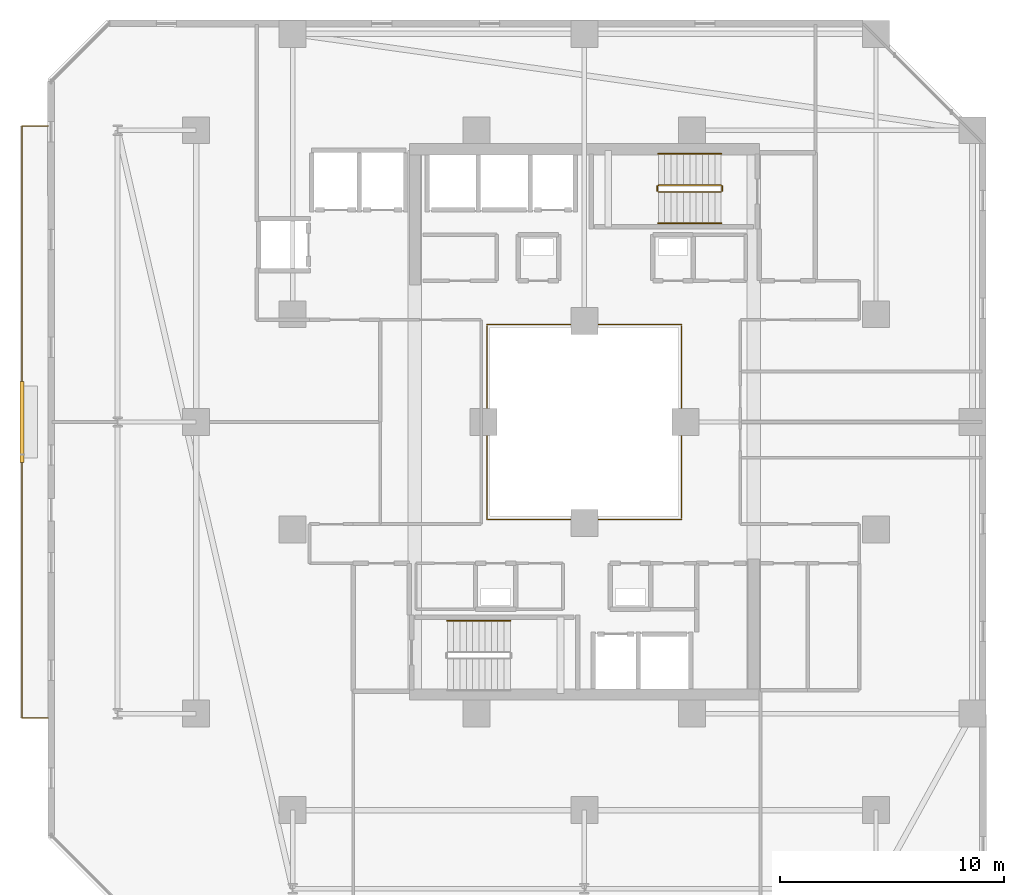
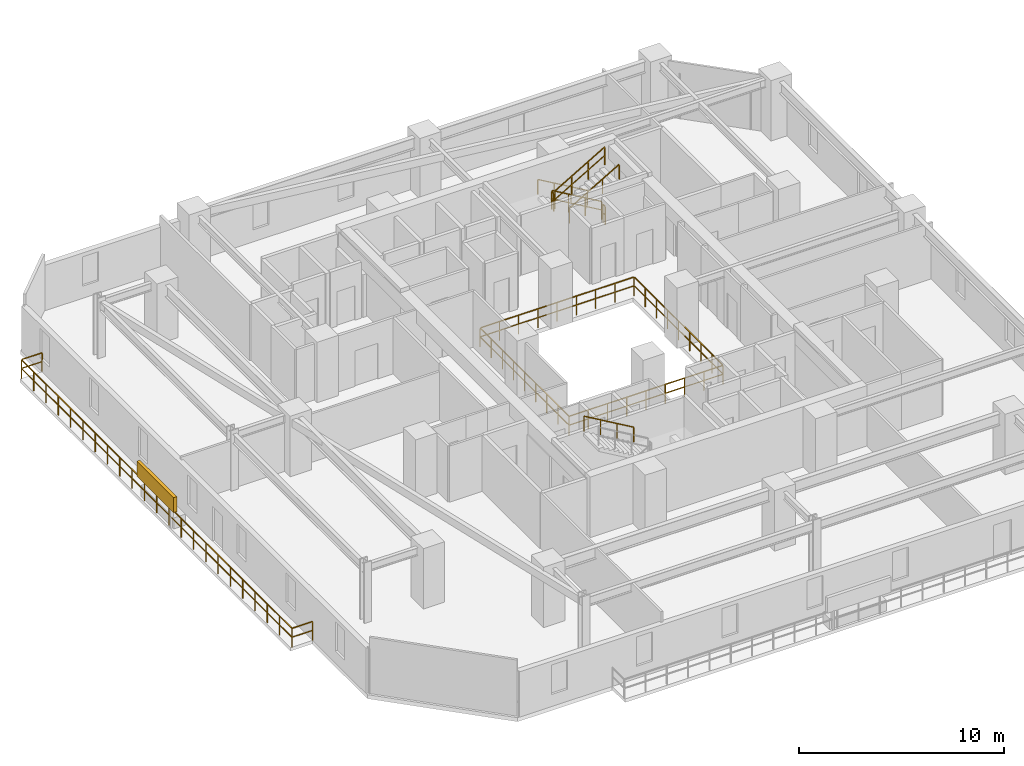
# One storey, part 30 of 33: 9 railings, 1 shading device.
"""IFC4 building model written with IfcOpenShell, lengths in metres."""

from ifc_helpers import new_model, si_unit, direction, frame, origin, origin_2d, place, context, subcontext, project, spatial, rectangle, extrude, material, type_object, element, save


model = new_model("IFC4")

# Units and contexts
model_context = context("Model", 3, precision=1e-05, world=origin(), true_north=direction((0.0, 1.0)))
body_context = subcontext(model_context, "Body", "Model", "MODEL_VIEW")
ifc_project = project(units=[si_unit("LENGTHUNIT", "METRE"), si_unit("AREAUNIT", "SQUARE_METRE"), si_unit("VOLUMEUNIT", "CUBIC_METRE"), si_unit("PLANEANGLEUNIT", "RADIAN"), si_unit("MASSUNIT", "GRAM", prefix="KILO")], contexts=[model_context])

# Site, building, storey
site_placement = place(None, origin())
site = spatial("IfcSite", under=ifc_project, at=site_placement, CompositionType="ELEMENT")
building_placement = place(site_placement, origin())
building = spatial("IfcBuilding", under=site, at=building_placement, Name="Thornwick Lancets Civic Towers", CompositionType="ELEMENT")
storey_placement = place(building_placement, frame((0.0, 0.0, 130.5)))
storey = spatial("IfcBuildingStorey", under=building, at=storey_placement, Name="L34", CompositionType="ELEMENT", Elevation=130.5)

# Railings
ifc_material_1 = material(Name="Laminated glass and bronze steel S355", Category="steel")
railing_type_1 = type_object("IfcRailingType", Name="RAIL_ATRIUM_GUARD", PredefinedType="BALUSTRADE", material=ifc_material_1)
railing_1_placement = place(storey_placement, frame((21.159912109375, 22.659912109375, 0.0)))
element("IfcRailing", 1, at=railing_1_placement, inside=storey, type_object=railing_type_1, Name="L34 Tower A Central Atrium Guard Balustrade", PredefinedType="BALUSTRADE", context=body_context, shape_type="SweptSolid", body=[
    extrude(rectangle(XDim=0.048095703125, YDim=0.048095703125, at=origin_2d()), frame((0.0, 0.0, 1.1259765625), z_axis=(1.0, 0.0, 0.0), x_axis=(0.0, 1.0, 0.0)), (0.0, 0.0, 1.0), 8.64892578125),
    extrude(rectangle(XDim=0.0419921875, YDim=0.0419921875, at=origin_2d()), frame((0.03759765625, 0.0, 0.597900390625), z_axis=(1.0, 0.0, 0.0), x_axis=(0.0, 1.0, 0.0)), (0.0, 0.0, 1.0), 1.010009765625),
    extrude(rectangle(XDim=0.0419921875, YDim=0.0419921875, at=origin_2d()), frame((1.12255859375, 0.0, 0.597900390625), z_axis=(1.0, 0.0, 0.0), x_axis=(0.0, 1.0, 0.0)), (0.0, 0.0, 1.0), 1.010009765625),
    extrude(rectangle(XDim=0.0419921875, YDim=0.0419921875, at=origin_2d()), frame((2.20751953125, 0.0, 0.597900390625), z_axis=(1.0, 0.0, 0.0), x_axis=(0.0, 1.0, 0.0)), (0.0, 0.0, 1.0), 1.010009765625),
    extrude(rectangle(XDim=0.0419921875, YDim=0.0419921875, at=origin_2d()), frame((3.29248046875, 0.0, 0.597900390625), z_axis=(1.0, 0.0, 0.0), x_axis=(0.0, 1.0, 0.0)), (0.0, 0.0, 1.0), 1.010009765625),
    extrude(rectangle(XDim=0.0419921875, YDim=0.0419921875, at=origin_2d()), frame((4.377685546875, 0.0, 0.597900390625), z_axis=(1.0, 0.0, 0.0), x_axis=(0.0, 1.0, 0.0)), (0.0, 0.0, 1.0), 1.010009765625),
    extrude(rectangle(XDim=0.0419921875, YDim=0.0419921875, at=origin_2d()), frame((5.462646484375, 0.0, 0.597900390625), z_axis=(1.0, 0.0, 0.0), x_axis=(0.0, 1.0, 0.0)), (0.0, 0.0, 1.0), 1.010009765625),
    extrude(rectangle(XDim=0.0419921875, YDim=0.0419921875, at=origin_2d()), frame((6.547607421875, 0.0, 0.597900390625), z_axis=(1.0, 0.0, 0.0), x_axis=(0.0, 1.0, 0.0)), (0.0, 0.0, 1.0), 1.010009765625),
    extrude(rectangle(XDim=0.0419921875, YDim=0.0419921875, at=origin_2d()), frame((7.632568359375, 0.0, 0.597900390625), z_axis=(1.0, 0.0, 0.0), x_axis=(0.0, 1.0, 0.0)), (0.0, 0.0, 1.0), 1.010009765625),
    extrude(rectangle(XDim=0.048095703125, YDim=0.048095703125, at=origin_2d()), frame((8.68017578125, 0.03125, 1.1259765625), z_axis=(0.0, 1.0, 0.0), x_axis=(-1.0, 0.0, 0.0)), (0.0, 0.0, 1.0), 8.61767578125),
    extrude(rectangle(XDim=0.0419921875, YDim=0.0419921875, at=origin_2d()), frame((8.68017578125, 0.03759765625, 0.597900390625), z_axis=(0.0, 1.0, 0.0), x_axis=(-1.0, 0.0, 0.0)), (0.0, 0.0, 1.0), 1.010009765625),
    extrude(rectangle(XDim=0.0419921875, YDim=0.0419921875, at=origin_2d()), frame((8.68017578125, 1.12255859375, 0.597900390625), z_axis=(0.0, 1.0, 0.0), x_axis=(-1.0, 0.0, 0.0)), (0.0, 0.0, 1.0), 1.010009765625),
    extrude(rectangle(XDim=0.0419921875, YDim=0.0419921875, at=origin_2d()), frame((8.68017578125, 2.20751953125, 0.597900390625), z_axis=(0.0, 1.0, 0.0), x_axis=(-1.0, 0.0, 0.0)), (0.0, 0.0, 1.0), 1.010009765625),
    extrude(rectangle(XDim=0.0419921875, YDim=0.0419921875, at=origin_2d()), frame((8.68017578125, 3.29248046875, 0.597900390625), z_axis=(0.0, 1.0, 0.0), x_axis=(-1.0, 0.0, 0.0)), (0.0, 0.0, 1.0), 1.010009765625),
    extrude(rectangle(XDim=0.0419921875, YDim=0.0419921875, at=origin_2d()), frame((8.68017578125, 4.377685546875, 0.597900390625), z_axis=(0.0, 1.0, 0.0), x_axis=(-1.0, 0.0, 0.0)), (0.0, 0.0, 1.0), 1.010009765625),
    extrude(rectangle(XDim=0.0419921875, YDim=0.0419921875, at=origin_2d()), frame((8.68017578125, 5.462646484375, 0.597900390625), z_axis=(0.0, 1.0, 0.0), x_axis=(-1.0, 0.0, 0.0)), (0.0, 0.0, 1.0), 1.010009765625),
    extrude(rectangle(XDim=0.0419921875, YDim=0.0419921875, at=origin_2d()), frame((8.68017578125, 6.547607421875, 0.597900390625), z_axis=(0.0, 1.0, 0.0), x_axis=(-1.0, 0.0, 0.0)), (0.0, 0.0, 1.0), 1.010009765625),
    extrude(rectangle(XDim=0.0419921875, YDim=0.0419921875, at=origin_2d()), frame((8.68017578125, 7.632568359375, 0.597900390625), z_axis=(0.0, 1.0, 0.0), x_axis=(-1.0, 0.0, 0.0)), (0.0, 0.0, 1.0), 1.010009765625),
    extrude(rectangle(XDim=0.048095703125, YDim=0.048095703125, at=origin_2d()), frame((8.64892578125, 8.68017578125, 1.1259765625), z_axis=(-1.0, 0.0, 0.0), x_axis=(0.0, -1.0, 0.0)), (0.0, 0.0, 1.0), 8.61767578125),
    extrude(rectangle(XDim=0.0419921875, YDim=0.0419921875, at=origin_2d()), frame((8.642578125, 8.68017578125, 0.597900390625), z_axis=(-1.0, 0.0, 0.0), x_axis=(0.0, -1.0, 0.0)), (0.0, 0.0, 1.0), 1.010009765625),
    extrude(rectangle(XDim=0.0419921875, YDim=0.0419921875, at=origin_2d()), frame((7.5576171875, 8.68017578125, 0.597900390625), z_axis=(-1.0, 0.0, 0.0), x_axis=(0.0, -1.0, 0.0)), (0.0, 0.0, 1.0), 1.010009765625),
    extrude(rectangle(XDim=0.0419921875, YDim=0.0419921875, at=origin_2d()), frame((6.47265625, 8.68017578125, 0.597900390625), z_axis=(-1.0, 0.0, 0.0), x_axis=(0.0, -1.0, 0.0)), (0.0, 0.0, 1.0), 1.010009765625),
    extrude(rectangle(XDim=0.0419921875, YDim=0.0419921875, at=origin_2d()), frame((5.3876953125, 8.68017578125, 0.597900390625), z_axis=(-1.0, 0.0, 0.0), x_axis=(0.0, -1.0, 0.0)), (0.0, 0.0, 1.0), 1.010009765625),
    extrude(rectangle(XDim=0.0419921875, YDim=0.0419921875, at=origin_2d()), frame((4.302490234375, 8.68017578125, 0.597900390625), z_axis=(-1.0, 0.0, 0.0), x_axis=(0.0, -1.0, 0.0)), (0.0, 0.0, 1.0), 1.010009765625),
    extrude(rectangle(XDim=0.0419921875, YDim=0.0419921875, at=origin_2d()), frame((3.217529296875, 8.68017578125, 0.597900390625), z_axis=(-1.0, 0.0, 0.0), x_axis=(0.0, -1.0, 0.0)), (0.0, 0.0, 1.0), 1.010009765625),
    extrude(rectangle(XDim=0.0419921875, YDim=0.0419921875, at=origin_2d()), frame((2.132568359375, 8.68017578125, 0.597900390625), z_axis=(-1.0, 0.0, 0.0), x_axis=(0.0, -1.0, 0.0)), (0.0, 0.0, 1.0), 1.010009765625),
    extrude(rectangle(XDim=0.0419921875, YDim=0.0419921875, at=origin_2d()), frame((1.047607421875, 8.68017578125, 0.597900390625), z_axis=(-1.0, 0.0, 0.0), x_axis=(0.0, -1.0, 0.0)), (0.0, 0.0, 1.0), 1.010009765625),
    extrude(rectangle(XDim=0.048095703125, YDim=0.048095703125, at=origin_2d()), frame((0.0, 8.64892578125, 1.1259765625), z_axis=(0.0, -1.0, 0.0), x_axis=(1.0, 0.0, 0.0)), (0.0, 0.0, 1.0), 8.64892578125),
    extrude(rectangle(XDim=0.0419921875, YDim=0.0419921875, at=origin_2d()), frame((0.0, 8.642578125, 0.597900390625), z_axis=(0.0, -1.0, 0.0), x_axis=(1.0, 0.0, 0.0)), (0.0, 0.0, 1.0), 1.010009765625),
    extrude(rectangle(XDim=0.0419921875, YDim=0.0419921875, at=origin_2d()), frame((0.0, 7.5576171875, 0.597900390625), z_axis=(0.0, -1.0, 0.0), x_axis=(1.0, 0.0, 0.0)), (0.0, 0.0, 1.0), 1.010009765625),
    extrude(rectangle(XDim=0.0419921875, YDim=0.0419921875, at=origin_2d()), frame((0.0, 6.47265625, 0.597900390625), z_axis=(0.0, -1.0, 0.0), x_axis=(1.0, 0.0, 0.0)), (0.0, 0.0, 1.0), 1.010009765625),
    extrude(rectangle(XDim=0.0419921875, YDim=0.0419921875, at=origin_2d()), frame((0.0, 5.3876953125, 0.597900390625), z_axis=(0.0, -1.0, 0.0), x_axis=(1.0, 0.0, 0.0)), (0.0, 0.0, 1.0), 1.010009765625),
    extrude(rectangle(XDim=0.0419921875, YDim=0.0419921875, at=origin_2d()), frame((0.0, 4.302490234375, 0.597900390625), z_axis=(0.0, -1.0, 0.0), x_axis=(1.0, 0.0, 0.0)), (0.0, 0.0, 1.0), 1.010009765625),
    extrude(rectangle(XDim=0.0419921875, YDim=0.0419921875, at=origin_2d()), frame((0.0, 3.217529296875, 0.597900390625), z_axis=(0.0, -1.0, 0.0), x_axis=(1.0, 0.0, 0.0)), (0.0, 0.0, 1.0), 1.010009765625),
    extrude(rectangle(XDim=0.0419921875, YDim=0.0419921875, at=origin_2d()), frame((0.0, 2.132568359375, 0.597900390625), z_axis=(0.0, -1.0, 0.0), x_axis=(1.0, 0.0, 0.0)), (0.0, 0.0, 1.0), 1.010009765625),
    extrude(rectangle(XDim=0.0419921875, YDim=0.0419921875, at=origin_2d()), frame((0.0, 1.047607421875, 0.597900390625), z_axis=(0.0, -1.0, 0.0), x_axis=(1.0, 0.0, 0.0)), (0.0, 0.0, 1.0), 1.010009765625),
    extrude(rectangle(XDim=0.0419921875, YDim=0.0419921875, at=origin_2d()), origin(), (0.0, 0.0, 1.0), 1.095703125),
    extrude(rectangle(XDim=0.0419921875, YDim=0.0419921875, at=origin_2d()), frame((1.0849609375, 0.0, 0.0)), (0.0, 0.0, 1.0), 1.095703125),
    extrude(rectangle(XDim=0.0419921875, YDim=0.0419921875, at=origin_2d()), frame((2.169921875, 0.0, 0.0)), (0.0, 0.0, 1.0), 1.095703125),
    extrude(rectangle(XDim=0.0419921875, YDim=0.0419921875, at=origin_2d()), frame((3.255126953125, 0.0, 0.0)), (0.0, 0.0, 1.0), 1.095703125),
    extrude(rectangle(XDim=0.0419921875, YDim=0.0419921875, at=origin_2d()), frame((4.340087890625, 0.0, 0.0)), (0.0, 0.0, 1.0), 1.095703125),
    extrude(rectangle(XDim=0.0419921875, YDim=0.0419921875, at=origin_2d()), frame((5.425048828125, 0.0, 0.0)), (0.0, 0.0, 1.0), 1.095703125),
    extrude(rectangle(XDim=0.0419921875, YDim=0.0419921875, at=origin_2d()), frame((6.51025390625, 0.0, 0.0)), (0.0, 0.0, 1.0), 1.095703125),
    extrude(rectangle(XDim=0.0419921875, YDim=0.0419921875, at=origin_2d()), frame((7.59521484375, 0.0, 0.0)), (0.0, 0.0, 1.0), 1.095703125),
    extrude(rectangle(XDim=0.0419921875, YDim=0.0419921875, at=origin_2d()), frame((8.68017578125, 0.0, 0.0)), (0.0, 0.0, 1.0), 1.095703125),
    extrude(rectangle(XDim=0.0419921875, YDim=0.0419921875, at=origin_2d()), frame((8.68017578125, 1.0849609375, 0.0)), (0.0, 0.0, 1.0), 1.095703125),
    extrude(rectangle(XDim=0.0419921875, YDim=0.0419921875, at=origin_2d()), frame((8.68017578125, 2.169921875, 0.0)), (0.0, 0.0, 1.0), 1.095703125),
    extrude(rectangle(XDim=0.0419921875, YDim=0.0419921875, at=origin_2d()), frame((8.68017578125, 3.255126953125, 0.0)), (0.0, 0.0, 1.0), 1.095703125),
    extrude(rectangle(XDim=0.0419921875, YDim=0.0419921875, at=origin_2d()), frame((8.68017578125, 4.340087890625, 0.0)), (0.0, 0.0, 1.0), 1.095703125),
    extrude(rectangle(XDim=0.0419921875, YDim=0.0419921875, at=origin_2d()), frame((8.68017578125, 5.425048828125, 0.0)), (0.0, 0.0, 1.0), 1.095703125),
    extrude(rectangle(XDim=0.0419921875, YDim=0.0419921875, at=origin_2d()), frame((8.68017578125, 6.51025390625, 0.0)), (0.0, 0.0, 1.0), 1.095703125),
    extrude(rectangle(XDim=0.0419921875, YDim=0.0419921875, at=origin_2d()), frame((8.68017578125, 7.59521484375, 0.0)), (0.0, 0.0, 1.0), 1.095703125),
    extrude(rectangle(XDim=0.0419921875, YDim=0.0419921875, at=origin_2d()), frame((8.68017578125, 8.68017578125, 0.0)), (0.0, 0.0, 1.0), 1.095703125),
    extrude(rectangle(XDim=0.0419921875, YDim=0.0419921875, at=origin_2d()), frame((7.59521484375, 8.68017578125, 0.0)), (0.0, 0.0, 1.0), 1.095703125),
    extrude(rectangle(XDim=0.0419921875, YDim=0.0419921875, at=origin_2d()), frame((6.51025390625, 8.68017578125, 0.0)), (0.0, 0.0, 1.0), 1.095703125),
    extrude(rectangle(XDim=0.0419921875, YDim=0.0419921875, at=origin_2d()), frame((5.425048828125, 8.68017578125, 0.0)), (0.0, 0.0, 1.0), 1.095703125),
    extrude(rectangle(XDim=0.0419921875, YDim=0.0419921875, at=origin_2d()), frame((4.340087890625, 8.68017578125, 0.0)), (0.0, 0.0, 1.0), 1.095703125),
    extrude(rectangle(XDim=0.0419921875, YDim=0.0419921875, at=origin_2d()), frame((3.255126953125, 8.68017578125, 0.0)), (0.0, 0.0, 1.0), 1.095703125),
    extrude(rectangle(XDim=0.0419921875, YDim=0.0419921875, at=origin_2d()), frame((2.169921875, 8.68017578125, 0.0)), (0.0, 0.0, 1.0), 1.095703125),
    extrude(rectangle(XDim=0.0419921875, YDim=0.0419921875, at=origin_2d()), frame((1.0849609375, 8.68017578125, 0.0)), (0.0, 0.0, 1.0), 1.095703125),
    extrude(rectangle(XDim=0.0419921875, YDim=0.0419921875, at=origin_2d()), frame((0.0, 8.68017578125, 0.0)), (0.0, 0.0, 1.0), 1.095703125),
    extrude(rectangle(XDim=0.0419921875, YDim=0.0419921875, at=origin_2d()), frame((0.0, 7.59521484375, 0.0)), (0.0, 0.0, 1.0), 1.095703125),
    extrude(rectangle(XDim=0.0419921875, YDim=0.0419921875, at=origin_2d()), frame((0.0, 6.51025390625, 0.0)), (0.0, 0.0, 1.0), 1.095703125),
    extrude(rectangle(XDim=0.0419921875, YDim=0.0419921875, at=origin_2d()), frame((0.0, 5.425048828125, 0.0)), (0.0, 0.0, 1.0), 1.095703125),
    extrude(rectangle(XDim=0.0419921875, YDim=0.0419921875, at=origin_2d()), frame((0.0, 4.340087890625, 0.0)), (0.0, 0.0, 1.0), 1.095703125),
    extrude(rectangle(XDim=0.0419921875, YDim=0.0419921875, at=origin_2d()), frame((0.0, 3.255126953125, 0.0)), (0.0, 0.0, 1.0), 1.095703125),
    extrude(rectangle(XDim=0.0419921875, YDim=0.0419921875, at=origin_2d()), frame((0.0, 2.169921875, 0.0)), (0.0, 0.0, 1.0), 1.095703125),
    extrude(rectangle(XDim=0.0419921875, YDim=0.0419921875, at=origin_2d()), frame((0.0, 1.0849609375, 0.0)), (0.0, 0.0, 1.0), 1.095703125),
])
ifc_material_2 = material(Name="Brushed stainless steel S355", Category="steel")
railing_type_2 = type_object("IfcRailingType", Name="RAIL_HANDRAIL", PredefinedType="HANDRAIL", material=ifc_material_2)
for number, where, name in (
    (2, (22.199951171875, 18.14990234375, 1.963623046875), "L34 ST-A1 stair handrail 2"),
    (3, (31.60009765625, 38.949951171875, 0.16357421875), "L34 ST-A2 stair handrail 1"),
):
    element("IfcRailing", number, at=place(storey_placement, frame(where)), inside=storey, type_object=railing_type_2, Name=name, PredefinedType="HANDRAIL", context=body_context, shape_type="SweptSolid", body=[
        extrude(rectangle(XDim=0.048095703125, YDim=0.048095703125, at=origin_2d()), frame((0.0, 0.0, 0.8857421875), z_axis=(-0.863360870873, 0.0, 0.504586966384), x_axis=(0.0, -1.0, 0.0)), (0.0, 0.0, 1.0), 3.2431640625),
        extrude(rectangle(XDim=0.0419921875, YDim=0.0419921875, at=origin_2d()), origin(), (0.0, 0.0, 1.0), 0.855712890625),
        extrude(rectangle(XDim=0.0419921875, YDim=0.0419921875, at=origin_2d()), frame((-0.933349609375, 0.0, 0.54541015625)), (0.0, 0.0, 1.0), 0.855712890625),
        extrude(rectangle(XDim=0.0419921875, YDim=0.0419921875, at=origin_2d()), frame((-1.86669921875, 0.0, 1.091064453125)), (0.0, 0.0, 1.0), 0.855712890625),
        extrude(rectangle(XDim=0.0419921875, YDim=0.0419921875, at=origin_2d()), frame((-2.800048828125, 0.0, 1.636474609375)), (0.0, 0.0, 1.0), 0.855712890625),
    ])
railing_2_placement = place(storey_placement, frame((28.800048828125, 35.85009765625, 1.963623046875)))
element("IfcRailing", 4, at=railing_2_placement, inside=storey, type_object=railing_type_2, Name="L34 ST-A2 stair handrail 2", PredefinedType="HANDRAIL", context=body_context, shape_type="SweptSolid", body=[
    extrude(rectangle(XDim=0.048095703125, YDim=0.048095703125, at=origin_2d()), frame((0.0, 0.0, 0.8857421875), z_axis=(0.863360870873, 0.0, 0.504586966384), x_axis=(0.0, 1.0, 0.0)), (0.0, 0.0, 1.0), 3.2431640625),
    extrude(rectangle(XDim=0.0419921875, YDim=0.0419921875, at=origin_2d()), origin(), (0.0, 0.0, 1.0), 0.855712890625),
    extrude(rectangle(XDim=0.0419921875, YDim=0.0419921875, at=origin_2d()), frame((0.933349609375, 0.0, 0.54541015625)), (0.0, 0.0, 1.0), 0.855712890625),
    extrude(rectangle(XDim=0.0419921875, YDim=0.0419921875, at=origin_2d()), frame((1.86669921875, 0.0, 1.091064453125)), (0.0, 0.0, 1.0), 0.855712890625),
    extrude(rectangle(XDim=0.0419921875, YDim=0.0419921875, at=origin_2d()), frame((2.800048828125, 0.0, 1.636474609375)), (0.0, 0.0, 1.0), 0.855712890625),
])
ifc_material_3 = material(Name="Steel S355JR", Category="steel")
railing_type_3 = type_object("IfcRailingType", Name="RAIL_STAIR_GUARD", PredefinedType="GUARDRAIL", material=ifc_material_3)
railing_3_placement = place(storey_placement, frame((31.60009765625, 37.550048828125, 0.16357421875)))
element("IfcRailing", 5, at=railing_3_placement, inside=storey, type_object=railing_type_3, Name="L34 ST-A2 stair guard 1", PredefinedType="GUARDRAIL", context=body_context, shape_type="SweptSolid", body=[
    extrude(rectangle(XDim=0.048095703125, YDim=0.048095703125, at=origin_2d()), frame((0.0, 0.0, 1.076171875), z_axis=(-0.863360870873, 0.0, 0.504586966384), x_axis=(0.0, -1.0, 0.0)), (0.0, 0.0, 1.0), 3.2431640625),
    extrude(rectangle(XDim=0.0419921875, YDim=0.0419921875, at=origin_2d()), frame((-0.032470703125, 0.0, 0.591064453125), z_axis=(-0.863360870873, 0.0, 0.504586966384), x_axis=(0.0, -1.0, 0.0)), (0.0, 0.0, 1.0), 1.006103515625),
    extrude(rectangle(XDim=0.0419921875, YDim=0.0419921875, at=origin_2d()), frame((-0.9658203125, 0.0, 1.136474609375), z_axis=(-0.863360870873, 0.0, 0.504586966384), x_axis=(0.0, -1.0, 0.0)), (0.0, 0.0, 1.0), 1.006103515625),
    extrude(rectangle(XDim=0.0419921875, YDim=0.0419921875, at=origin_2d()), frame((-1.899169921875, 0.0, 1.681884765625), z_axis=(-0.863360870873, 0.0, 0.504586966384), x_axis=(0.0, -1.0, 0.0)), (0.0, 0.0, 1.0), 1.006103515625),
    extrude(rectangle(XDim=0.0419921875, YDim=0.0419921875, at=origin_2d()), origin(), (0.0, 0.0, 1.0), 1.0458984375),
    extrude(rectangle(XDim=0.0419921875, YDim=0.0419921875, at=origin_2d()), frame((-0.933349609375, 0.0, 0.54541015625)), (0.0, 0.0, 1.0), 1.0458984375),
    extrude(rectangle(XDim=0.0419921875, YDim=0.0419921875, at=origin_2d()), frame((-1.86669921875, 0.0, 1.091064453125)), (0.0, 0.0, 1.0), 1.0458984375),
    extrude(rectangle(XDim=0.0419921875, YDim=0.0419921875, at=origin_2d()), frame((-2.800048828125, 0.0, 1.636474609375)), (0.0, 0.0, 1.0), 1.0458984375),
])
railing_4_placement = place(storey_placement, frame((28.75, 37.5, 1.800048828125)))
element("IfcRailing", 6, at=railing_4_placement, inside=storey, type_object=railing_type_3, Name="L34 ST-A2 stair guard 2", PredefinedType="GUARDRAIL", context=body_context, shape_type="SweptSolid", body=[
    extrude(rectangle(XDim=0.048095703125, YDim=0.048095703125, at=origin_2d()), frame((0.0, 0.0, 1.076171875), z_axis=(0.0, -1.0, 0.0), x_axis=(1.0, 0.0, 0.0)), (0.0, 0.0, 1.0), 0.199951171875),
    extrude(rectangle(XDim=0.0419921875, YDim=0.0419921875, at=origin_2d()), frame((0.0, -0.03759765625, 0.572021484375), z_axis=(0.0, -1.0, 0.0), x_axis=(1.0, 0.0, 0.0)), (0.0, 0.0, 1.0), 0.125),
    extrude(rectangle(XDim=0.0419921875, YDim=0.0419921875, at=origin_2d()), origin(), (0.0, 0.0, 1.0), 1.0458984375),
    extrude(rectangle(XDim=0.0419921875, YDim=0.0419921875, at=origin_2d()), frame((0.0, -0.199951171875, 0.0)), (0.0, 0.0, 1.0), 1.0458984375),
])
railing_5_placement = place(storey_placement, frame((28.800048828125, 37.25, 1.963623046875)))
element("IfcRailing", 7, at=railing_5_placement, inside=storey, type_object=railing_type_3, Name="L34 ST-A2 stair guard 3", PredefinedType="GUARDRAIL", context=body_context, shape_type="SweptSolid", body=[
    extrude(rectangle(XDim=0.048095703125, YDim=0.048095703125, at=origin_2d()), frame((0.0, 0.0, 1.076171875), z_axis=(0.863360870873, 0.0, 0.504586966384), x_axis=(0.0, 1.0, 0.0)), (0.0, 0.0, 1.0), 3.2431640625),
    extrude(rectangle(XDim=0.0419921875, YDim=0.0419921875, at=origin_2d()), frame((0.032470703125, 0.0, 0.591064453125), z_axis=(0.863360870873, 0.0, 0.504586966384), x_axis=(0.0, 1.0, 0.0)), (0.0, 0.0, 1.0), 1.006103515625),
    extrude(rectangle(XDim=0.0419921875, YDim=0.0419921875, at=origin_2d()), frame((0.9658203125, 0.0, 1.136474609375), z_axis=(0.863360870873, 0.0, 0.504586966384), x_axis=(0.0, 1.0, 0.0)), (0.0, 0.0, 1.0), 1.006103515625),
    extrude(rectangle(XDim=0.0419921875, YDim=0.0419921875, at=origin_2d()), frame((1.899169921875, 0.0, 1.681884765625), z_axis=(0.863360870873, 0.0, 0.504586966384), x_axis=(0.0, 1.0, 0.0)), (0.0, 0.0, 1.0), 1.006103515625),
    extrude(rectangle(XDim=0.0419921875, YDim=0.0419921875, at=origin_2d()), origin(), (0.0, 0.0, 1.0), 1.0458984375),
    extrude(rectangle(XDim=0.0419921875, YDim=0.0419921875, at=origin_2d()), frame((0.933349609375, 0.0, 0.54541015625)), (0.0, 0.0, 1.0), 1.0458984375),
    extrude(rectangle(XDim=0.0419921875, YDim=0.0419921875, at=origin_2d()), frame((1.86669921875, 0.0, 1.091064453125)), (0.0, 0.0, 1.0), 1.0458984375),
    extrude(rectangle(XDim=0.0419921875, YDim=0.0419921875, at=origin_2d()), frame((2.800048828125, 0.0, 1.636474609375)), (0.0, 0.0, 1.0), 1.0458984375),
])
railing_6_placement = place(storey_placement, frame((31.64990234375, 37.5, 0.0)))
element("IfcRailing", 8, at=railing_6_placement, inside=storey, type_object=railing_type_3, Name="L34 ST-A2 stair guard 4", PredefinedType="GUARDRAIL", context=body_context, shape_type="SweptSolid", body=[
    extrude(rectangle(XDim=0.048095703125, YDim=0.048095703125, at=origin_2d()), frame((0.0, 0.0, 1.076171875), z_axis=(0.0, -1.0, 0.0), x_axis=(1.0, 0.0, 0.0)), (0.0, 0.0, 1.0), 0.199951171875),
    extrude(rectangle(XDim=0.0419921875, YDim=0.0419921875, at=origin_2d()), frame((0.0, -0.03759765625, 0.572021484375), z_axis=(0.0, -1.0, 0.0), x_axis=(1.0, 0.0, 0.0)), (0.0, 0.0, 1.0), 0.125),
    extrude(rectangle(XDim=0.0419921875, YDim=0.0419921875, at=origin_2d()), origin(), (0.0, 0.0, 1.0), 1.0458984375),
    extrude(rectangle(XDim=0.0419921875, YDim=0.0419921875, at=origin_2d()), frame((0.0, -0.199951171875, 0.0)), (0.0, 0.0, 1.0), 1.0458984375),
])
ifc_material_4 = material(Name="Terracotta-capped laminated glass balustrade S355", Category="masonry")
railing_type_4 = type_object("IfcRailingType", Name="RAIL_TERR_GUARD", PredefinedType="GUARDRAIL", material=ifc_material_4)
railing_7_placement = place(storey_placement, frame((1.60009765625, 13.800048828125, 0.0)))
element("IfcRailing", 9, at=railing_7_placement, inside=storey, type_object=railing_type_4, Name="L34 Tower A Balcony Guard W", PredefinedType="GUARDRAIL", context=body_context, shape_type="SweptSolid", body=[
    extrude(rectangle(XDim=0.048095703125, YDim=0.048095703125, at=origin_2d()), frame((0.0, 0.0, 1.1259765625), z_axis=(-1.0, 0.0, 0.0), x_axis=(0.0, -1.0, 0.0)), (0.0, 0.0, 1.0), 1.138916015625),
    extrude(rectangle(XDim=0.0419921875, YDim=0.0419921875, at=origin_2d()), frame((-0.03759765625, 0.0, 0.597900390625), z_axis=(-1.0, 0.0, 0.0), x_axis=(0.0, -1.0, 0.0)), (0.0, 0.0, 1.0), 1.09521484375),
    extrude(rectangle(XDim=0.048095703125, YDim=0.048095703125, at=origin_2d()), frame((-1.170166015625, 0.03125, 1.1259765625), z_axis=(0.0, 1.0, 0.0), x_axis=(-1.0, 0.0, 0.0)), (0.0, 0.0, 1.0), 26.33740234375),
    extrude(rectangle(XDim=0.0419921875, YDim=0.0419921875, at=origin_2d()), frame((-1.170166015625, 0.03759765625, 0.597900390625), z_axis=(0.0, 1.0, 0.0), x_axis=(-1.0, 0.0, 0.0)), (0.0, 0.0, 1.0), 1.125),
    extrude(rectangle(XDim=0.0419921875, YDim=0.0419921875, at=origin_2d()), frame((-1.170166015625, 1.237548828125, 0.597900390625), z_axis=(0.0, 1.0, 0.0), x_axis=(-1.0, 0.0, 0.0)), (0.0, 0.0, 1.0), 1.125),
    extrude(rectangle(XDim=0.0419921875, YDim=0.0419921875, at=origin_2d()), frame((-1.170166015625, 2.4375, 0.597900390625), z_axis=(0.0, 1.0, 0.0), x_axis=(-1.0, 0.0, 0.0)), (0.0, 0.0, 1.0), 1.125),
    extrude(rectangle(XDim=0.0419921875, YDim=0.0419921875, at=origin_2d()), frame((-1.170166015625, 3.637451171875, 0.597900390625), z_axis=(0.0, 1.0, 0.0), x_axis=(-1.0, 0.0, 0.0)), (0.0, 0.0, 1.0), 1.125),
    extrude(rectangle(XDim=0.0419921875, YDim=0.0419921875, at=origin_2d()), frame((-1.170166015625, 4.83740234375, 0.597900390625), z_axis=(0.0, 1.0, 0.0), x_axis=(-1.0, 0.0, 0.0)), (0.0, 0.0, 1.0), 1.125),
    extrude(rectangle(XDim=0.0419921875, YDim=0.0419921875, at=origin_2d()), frame((-1.170166015625, 6.037353515625, 0.597900390625), z_axis=(0.0, 1.0, 0.0), x_axis=(-1.0, 0.0, 0.0)), (0.0, 0.0, 1.0), 1.125),
    extrude(rectangle(XDim=0.0419921875, YDim=0.0419921875, at=origin_2d()), frame((-1.170166015625, 7.237548828125, 0.597900390625), z_axis=(0.0, 1.0, 0.0), x_axis=(-1.0, 0.0, 0.0)), (0.0, 0.0, 1.0), 1.125),
    extrude(rectangle(XDim=0.0419921875, YDim=0.0419921875, at=origin_2d()), frame((-1.170166015625, 8.4375, 0.597900390625), z_axis=(0.0, 1.0, 0.0), x_axis=(-1.0, 0.0, 0.0)), (0.0, 0.0, 1.0), 1.125),
    extrude(rectangle(XDim=0.0419921875, YDim=0.0419921875, at=origin_2d()), frame((-1.170166015625, 9.637451171875, 0.597900390625), z_axis=(0.0, 1.0, 0.0), x_axis=(-1.0, 0.0, 0.0)), (0.0, 0.0, 1.0), 1.125),
    extrude(rectangle(XDim=0.0419921875, YDim=0.0419921875, at=origin_2d()), frame((-1.170166015625, 10.83740234375, 0.597900390625), z_axis=(0.0, 1.0, 0.0), x_axis=(-1.0, 0.0, 0.0)), (0.0, 0.0, 1.0), 1.125),
    extrude(rectangle(XDim=0.0419921875, YDim=0.0419921875, at=origin_2d()), frame((-1.170166015625, 12.037353515625, 0.597900390625), z_axis=(0.0, 1.0, 0.0), x_axis=(-1.0, 0.0, 0.0)), (0.0, 0.0, 1.0), 1.125),
    extrude(rectangle(XDim=0.0419921875, YDim=0.0419921875, at=origin_2d()), frame((-1.170166015625, 13.237548828125, 0.597900390625), z_axis=(0.0, 1.0, 0.0), x_axis=(-1.0, 0.0, 0.0)), (0.0, 0.0, 1.0), 1.125),
    extrude(rectangle(XDim=0.0419921875, YDim=0.0419921875, at=origin_2d()), frame((-1.170166015625, 14.4375, 0.597900390625), z_axis=(0.0, 1.0, 0.0), x_axis=(-1.0, 0.0, 0.0)), (0.0, 0.0, 1.0), 1.125),
    extrude(rectangle(XDim=0.0419921875, YDim=0.0419921875, at=origin_2d()), frame((-1.170166015625, 15.637451171875, 0.597900390625), z_axis=(0.0, 1.0, 0.0), x_axis=(-1.0, 0.0, 0.0)), (0.0, 0.0, 1.0), 1.125),
    extrude(rectangle(XDim=0.0419921875, YDim=0.0419921875, at=origin_2d()), frame((-1.170166015625, 16.83740234375, 0.597900390625), z_axis=(0.0, 1.0, 0.0), x_axis=(-1.0, 0.0, 0.0)), (0.0, 0.0, 1.0), 1.125),
    extrude(rectangle(XDim=0.0419921875, YDim=0.0419921875, at=origin_2d()), frame((-1.170166015625, 18.037353515625, 0.597900390625), z_axis=(0.0, 1.0, 0.0), x_axis=(-1.0, 0.0, 0.0)), (0.0, 0.0, 1.0), 1.125),
    extrude(rectangle(XDim=0.0419921875, YDim=0.0419921875, at=origin_2d()), frame((-1.170166015625, 19.2373046875, 0.597900390625), z_axis=(0.0, 1.0, 0.0), x_axis=(-1.0, 0.0, 0.0)), (0.0, 0.0, 1.0), 1.125),
    extrude(rectangle(XDim=0.0419921875, YDim=0.0419921875, at=origin_2d()), frame((-1.170166015625, 20.4375, 0.597900390625), z_axis=(0.0, 1.0, 0.0), x_axis=(-1.0, 0.0, 0.0)), (0.0, 0.0, 1.0), 1.125),
    extrude(rectangle(XDim=0.0419921875, YDim=0.0419921875, at=origin_2d()), frame((-1.170166015625, 21.637451171875, 0.597900390625), z_axis=(0.0, 1.0, 0.0), x_axis=(-1.0, 0.0, 0.0)), (0.0, 0.0, 1.0), 1.125),
    extrude(rectangle(XDim=0.0419921875, YDim=0.0419921875, at=origin_2d()), frame((-1.170166015625, 22.83740234375, 0.597900390625), z_axis=(0.0, 1.0, 0.0), x_axis=(-1.0, 0.0, 0.0)), (0.0, 0.0, 1.0), 1.125),
    extrude(rectangle(XDim=0.0419921875, YDim=0.0419921875, at=origin_2d()), frame((-1.170166015625, 24.037353515625, 0.597900390625), z_axis=(0.0, 1.0, 0.0), x_axis=(-1.0, 0.0, 0.0)), (0.0, 0.0, 1.0), 1.125),
    extrude(rectangle(XDim=0.0419921875, YDim=0.0419921875, at=origin_2d()), frame((-1.170166015625, 25.2373046875, 0.597900390625), z_axis=(0.0, 1.0, 0.0), x_axis=(-1.0, 0.0, 0.0)), (0.0, 0.0, 1.0), 1.125),
    extrude(rectangle(XDim=0.048095703125, YDim=0.048095703125, at=origin_2d()), frame((-1.138916015625, 26.39990234375, 1.1259765625), z_axis=(1.0, 0.0, 0.0), x_axis=(0.0, 1.0, 0.0)), (0.0, 0.0, 1.0), 1.138916015625),
    extrude(rectangle(XDim=0.0419921875, YDim=0.0419921875, at=origin_2d()), frame((-1.132568359375, 26.39990234375, 0.597900390625), z_axis=(1.0, 0.0, 0.0), x_axis=(0.0, 1.0, 0.0)), (0.0, 0.0, 1.0), 1.09521484375),
    extrude(rectangle(XDim=0.0419921875, YDim=0.0419921875, at=origin_2d()), origin(), (0.0, 0.0, 1.0), 1.095703125),
    extrude(rectangle(XDim=0.0419921875, YDim=0.0419921875, at=origin_2d()), frame((-1.170166015625, 0.0, 0.0)), (0.0, 0.0, 1.0), 1.095703125),
    extrude(rectangle(XDim=0.0419921875, YDim=0.0419921875, at=origin_2d()), frame((-1.170166015625, 1.199951171875, 0.0)), (0.0, 0.0, 1.0), 1.095703125),
    extrude(rectangle(XDim=0.0419921875, YDim=0.0419921875, at=origin_2d()), frame((-1.170166015625, 2.39990234375, 0.0)), (0.0, 0.0, 1.0), 1.095703125),
    extrude(rectangle(XDim=0.0419921875, YDim=0.0419921875, at=origin_2d()), frame((-1.170166015625, 3.60009765625, 0.0)), (0.0, 0.0, 1.0), 1.095703125),
    extrude(rectangle(XDim=0.0419921875, YDim=0.0419921875, at=origin_2d()), frame((-1.170166015625, 4.800048828125, 0.0)), (0.0, 0.0, 1.0), 1.095703125),
    extrude(rectangle(XDim=0.0419921875, YDim=0.0419921875, at=origin_2d()), frame((-1.170166015625, 6.0, 0.0)), (0.0, 0.0, 1.0), 1.095703125),
    extrude(rectangle(XDim=0.0419921875, YDim=0.0419921875, at=origin_2d()), frame((-1.170166015625, 7.199951171875, 0.0)), (0.0, 0.0, 1.0), 1.095703125),
    extrude(rectangle(XDim=0.0419921875, YDim=0.0419921875, at=origin_2d()), frame((-1.170166015625, 8.39990234375, 0.0)), (0.0, 0.0, 1.0), 1.095703125),
    extrude(rectangle(XDim=0.0419921875, YDim=0.0419921875, at=origin_2d()), frame((-1.170166015625, 9.599853515625, 0.0)), (0.0, 0.0, 1.0), 1.095703125),
    extrude(rectangle(XDim=0.0419921875, YDim=0.0419921875, at=origin_2d()), frame((-1.170166015625, 10.800048828125, 0.0)), (0.0, 0.0, 1.0), 1.095703125),
    extrude(rectangle(XDim=0.0419921875, YDim=0.0419921875, at=origin_2d()), frame((-1.170166015625, 12.0, 0.0)), (0.0, 0.0, 1.0), 1.095703125),
    extrude(rectangle(XDim=0.0419921875, YDim=0.0419921875, at=origin_2d()), frame((-1.170166015625, 13.199951171875, 0.0)), (0.0, 0.0, 1.0), 1.095703125),
    extrude(rectangle(XDim=0.0419921875, YDim=0.0419921875, at=origin_2d()), frame((-1.170166015625, 14.39990234375, 0.0)), (0.0, 0.0, 1.0), 1.095703125),
    extrude(rectangle(XDim=0.0419921875, YDim=0.0419921875, at=origin_2d()), frame((-1.170166015625, 15.599853515625, 0.0)), (0.0, 0.0, 1.0), 1.095703125),
    extrude(rectangle(XDim=0.0419921875, YDim=0.0419921875, at=origin_2d()), frame((-1.170166015625, 16.800048828125, 0.0)), (0.0, 0.0, 1.0), 1.095703125),
    extrude(rectangle(XDim=0.0419921875, YDim=0.0419921875, at=origin_2d()), frame((-1.170166015625, 18.0, 0.0)), (0.0, 0.0, 1.0), 1.095703125),
    extrude(rectangle(XDim=0.0419921875, YDim=0.0419921875, at=origin_2d()), frame((-1.170166015625, 19.199951171875, 0.0)), (0.0, 0.0, 1.0), 1.095703125),
    extrude(rectangle(XDim=0.0419921875, YDim=0.0419921875, at=origin_2d()), frame((-1.170166015625, 20.39990234375, 0.0)), (0.0, 0.0, 1.0), 1.095703125),
    extrude(rectangle(XDim=0.0419921875, YDim=0.0419921875, at=origin_2d()), frame((-1.170166015625, 21.599853515625, 0.0)), (0.0, 0.0, 1.0), 1.095703125),
    extrude(rectangle(XDim=0.0419921875, YDim=0.0419921875, at=origin_2d()), frame((-1.170166015625, 22.7998046875, 0.0)), (0.0, 0.0, 1.0), 1.095703125),
    extrude(rectangle(XDim=0.0419921875, YDim=0.0419921875, at=origin_2d()), frame((-1.170166015625, 24.0, 0.0)), (0.0, 0.0, 1.0), 1.095703125),
    extrude(rectangle(XDim=0.0419921875, YDim=0.0419921875, at=origin_2d()), frame((-1.170166015625, 25.199951171875, 0.0)), (0.0, 0.0, 1.0), 1.095703125),
    extrude(rectangle(XDim=0.0419921875, YDim=0.0419921875, at=origin_2d()), frame((-1.170166015625, 26.39990234375, 0.0)), (0.0, 0.0, 1.0), 1.095703125),
    extrude(rectangle(XDim=0.0419921875, YDim=0.0419921875, at=origin_2d()), frame((0.0, 26.39990234375, 0.0)), (0.0, 0.0, 1.0), 1.095703125),
])

# Shading device
ifc_material_5 = material(Name="Extruded terracotta baguette solar screen", Category="masonry")
shading_device_type = type_object("IfcShadingDeviceType", Name="SHADE_BAGUETTE", PredefinedType="JALOUSIE", material=ifc_material_5)
shading_device_placement = place(storey_placement, frame((0.43994140625, 27.0, 1.1201171875), z_axis=(0.0, 0.0, 1.0), x_axis=(0.0, 1.0, 0.0)))
element("IfcShadingDevice", 10, at=shading_device_placement, inside=storey, type_object=shading_device_type, Name="L34 Tower A Terracotta Baguette Screen W", PredefinedType="JALOUSIE", context=body_context, shape_type="SweptSolid", body=[
    extrude(rectangle(XDim=3.60009765625, YDim=0.179931640625, at=origin_2d()), origin(), (0.0, 0.0, 1.0), 0.89990234375),
])

save(model, "model.ifc")
